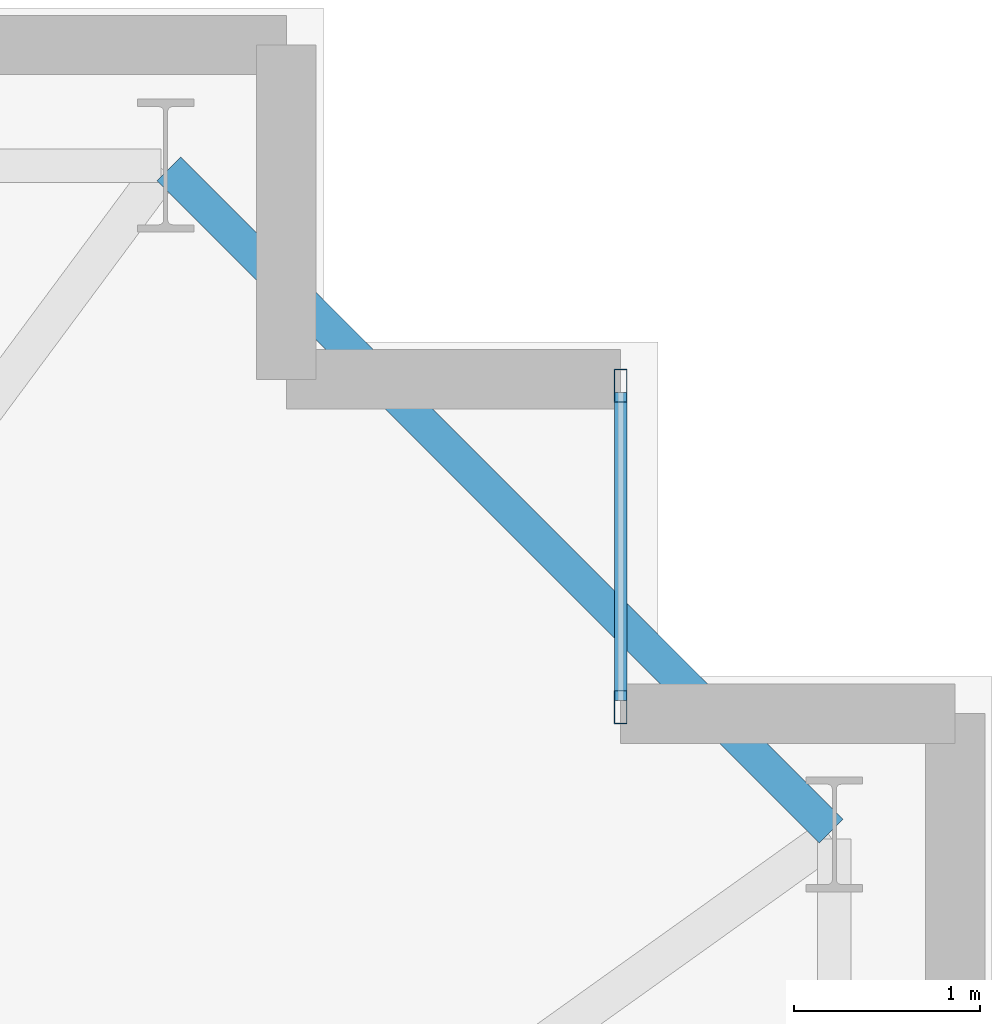
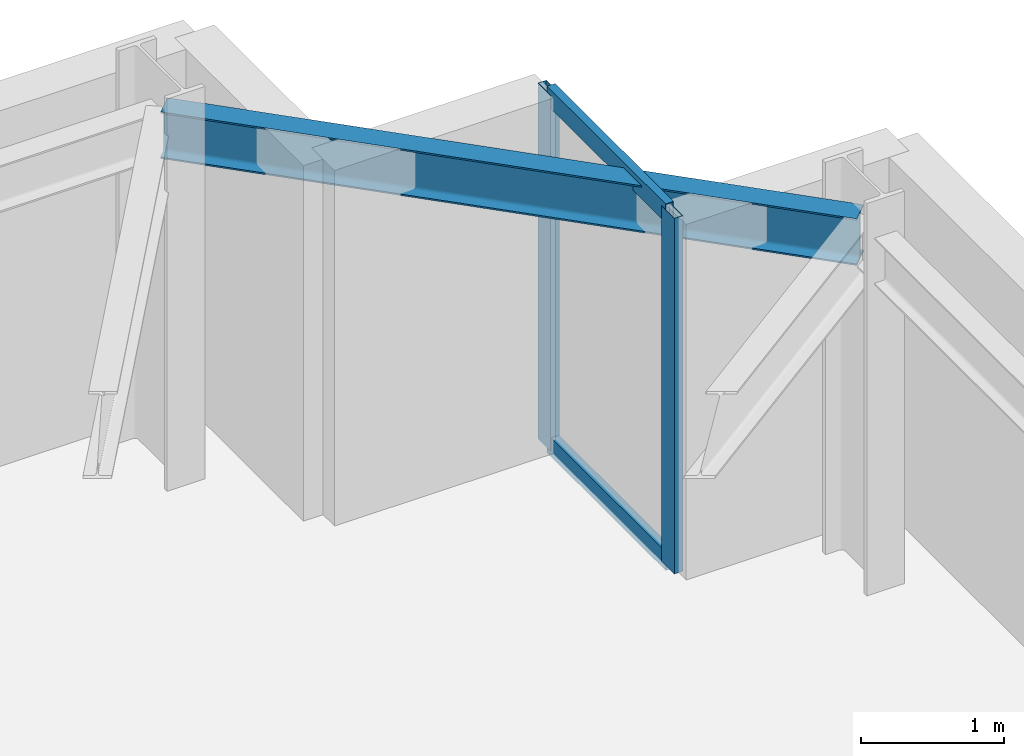
# One storey, part 16 of 24: 4 members, 1 beam, 1 element without a shape of its own.
"""IFC4 building model written with IfcOpenShell, lengths in metres."""

from ifc_helpers import new_model, si_unit, direction, frame, origin, origin_2d, place, context, subcontext, project, spatial, hollow_rectangle, i_section, extrude, material, layer, layer_set, material_profile, profile_set, type_object, element, aggregate, save


model = new_model("IFC4")

# Units and contexts
model_context = context("Model", 3, precision=1e-05, world=origin(), true_north=direction((0.0, 1.0)))
body_context = subcontext(model_context, "Body", "Model", "MODEL_VIEW")
ifc_project = project(units=[si_unit("LENGTHUNIT", "METRE"), si_unit("AREAUNIT", "SQUARE_METRE"), si_unit("VOLUMEUNIT", "CUBIC_METRE"), si_unit("PLANEANGLEUNIT", "RADIAN"), si_unit("MASSUNIT", "GRAM", prefix="KILO")], contexts=[model_context])

# Site, building, storey
site_placement = place(None, origin())
site = spatial("IfcSite", under=ifc_project, at=site_placement, CompositionType="ELEMENT")
building_placement = place(site_placement, origin())
building = spatial("IfcBuilding", under=site, at=building_placement, Name="Qobustan Lattice House", CompositionType="ELEMENT")
storey_placement = place(building_placement, frame((0.0, 0.0, 50.449951171875)))
storey = spatial("IfcBuildingStorey", under=building, at=storey_placement, Name="L13", CompositionType="ELEMENT", Elevation=50.449951171875)

# Beam
ifc_material_1 = material(Name="Steel S355", Category="steel")
ifc_material_profile_1 = material_profile(ifc_material_1, i_section(OverallWidth=0.179931640625, OverallDepth=0.39990234375, WebThickness=0.008544921875, FlangeThickness=0.013427734375, FilletRadius=0.02099609375, at=origin_2d()), Name="IPE400")
ifc_profile_set_1 = profile_set([ifc_material_profile_1], Name="Steel S355")
beam_type = type_object("IfcBeamType", Name="BM-SPD-IPE400", PredefinedType="SPANDREL", material=ifc_profile_set_1)
beam_placement = place(storey_placement, frame((32.13232421875, 15.167724609375, 2.8349609375), z_axis=(-0.707106781187, 0.707106781187, 0.0), x_axis=(-0.707106781187, -0.707106781187, 0.0)))
element("IfcBeam", 1, at=beam_placement, inside=storey, type_object=beam_type, Name="L13 perimeter spandrel E4-N1", PredefinedType="SPANDREL", context=body_context, shape_type="SweptSolid", body=[
    extrude(i_section(OverallWidth=0.179931640625, OverallDepth=0.39990234375, WebThickness=0.008544921875, FlangeThickness=0.013427734375, FilletRadius=0.02099609375, at=origin_2d()), origin(), (0.0, 0.0, 1.0), 5.041259765625),
])

# Curtain wall, members
ifc_material_2 = material(Name="Anodised aluminium and low-E glazing", Category="aluminium")
ifc_layer = layer(ifc_material_2, 0.219970703125)
ifc_layer_set = layer_set([ifc_layer], Name="Anodised aluminium and low-E glazing")
curtain_wall_type = type_object("IfcCurtainWallType", Name="CW-FAC-01", PredefinedType="USERDEFINED", material=ifc_layer_set)
curtain_wall_placement = place(storey_placement, origin())
curtain_wall = element("IfcCurtainWall", 2, at=curtain_wall_placement, inside=storey, type_object=curtain_wall_type, Name="L13 serrated corner faceted glazing 13", ObjectType="CURTAIN WALL", PredefinedType="USERDEFINED")
ifc_material_3 = material(Name="Anodised aluminium EN AW-6063 T6", Category="aluminium")
ifc_material_profile_2 = material_profile(ifc_material_3, hollow_rectangle(XDim=0.070068359375, YDim=0.179931640625, WallThickness=0.00439453125, at=origin_2d()), Name="CWM-180x70")
ifc_profile_set_2 = profile_set([ifc_material_profile_2], Name="Anodised aluminium EN AW-6063 T6")
member_type_1 = type_object("IfcMemberType", Name="CWM-STD-180", PredefinedType="MULLION", material=ifc_profile_set_2)
member_1_placement = place(storey_placement, frame((31.0, 17.56494140625, 0.0), z_axis=(0.0, 0.0, 1.0), x_axis=(1.0, 0.0, 0.0)))
member_1 = element("IfcMember", 3, at=member_1_placement, type_object=member_type_1, Name="CW-F1 mullion 1", PredefinedType="MULLION", context=body_context, shape_type="SweptSolid", body=[
    extrude(hollow_rectangle(XDim=0.070068359375, YDim=0.179931640625, WallThickness=0.00439453125, at=origin_2d()), origin(), (0.0, 0.0, 1.0), 3.03515625),
])
member_2_placement = place(storey_placement, frame((31.0, 15.8349609375, 0.0), z_axis=(0.0, 0.0, 1.0), x_axis=(1.0, 0.0, 0.0)))
member_2 = element("IfcMember", 4, at=member_2_placement, type_object=member_type_1, Name="CW-F1 mullion 2", PredefinedType="MULLION", context=body_context, shape_type="SweptSolid", body=[
    extrude(hollow_rectangle(XDim=0.070068359375, YDim=0.179931640625, WallThickness=0.00439453125, at=origin_2d()), origin(), (0.0, 0.0, 1.0), 3.03515625),
])
ifc_material_4 = material(Name="Anodised aluminium EN AW-6063 T6", Category="aluminium")
ifc_material_profile_3 = material_profile(ifc_material_4, hollow_rectangle(XDim=0.06494140625, YDim=0.159912109375, WallThickness=0.00390625, at=origin_2d()), Name="CWT-160x65")
ifc_profile_set_3 = profile_set([ifc_material_profile_3], Name="Anodised aluminium EN AW-6063 T6")
member_type_2 = type_object("IfcMemberType", Name="CWT-HOR-160", PredefinedType="USERDEFINED", material=ifc_profile_set_3)
member_3_placement = place(storey_placement, frame((31.0, 17.530029296875, 0.032470703125), z_axis=(0.0, -1.0, 0.0), x_axis=(1.0, 0.0, 0.0)))
member_3 = element("IfcMember", 5, at=member_3_placement, type_object=member_type_2, Name="CW-F1 transom 1.1", ObjectType="TRANSOM", PredefinedType="USERDEFINED", context=body_context, shape_type="SweptSolid", body=[
    extrude(hollow_rectangle(XDim=0.06494140625, YDim=0.159912109375, WallThickness=0.00390625, at=origin_2d()), origin(), (0.0, 0.0, 1.0), 1.659912109375),
])
member_4_placement = place(storey_placement, frame((31.0, 17.530029296875, 3.00244140625), z_axis=(0.0, -1.0, 0.0), x_axis=(1.0, 0.0, 0.0)))
member_4 = element("IfcMember", 6, at=member_4_placement, type_object=member_type_2, Name="CW-F1 transom 1.2", ObjectType="TRANSOM", PredefinedType="USERDEFINED", context=body_context, shape_type="SweptSolid", body=[
    extrude(hollow_rectangle(XDim=0.06494140625, YDim=0.159912109375, WallThickness=0.00390625, at=origin_2d()), origin(), (0.0, 0.0, 1.0), 1.659912109375),
])
aggregate(curtain_wall, [member_1, member_2, member_3, member_4])

save(model, "model.ifc")
